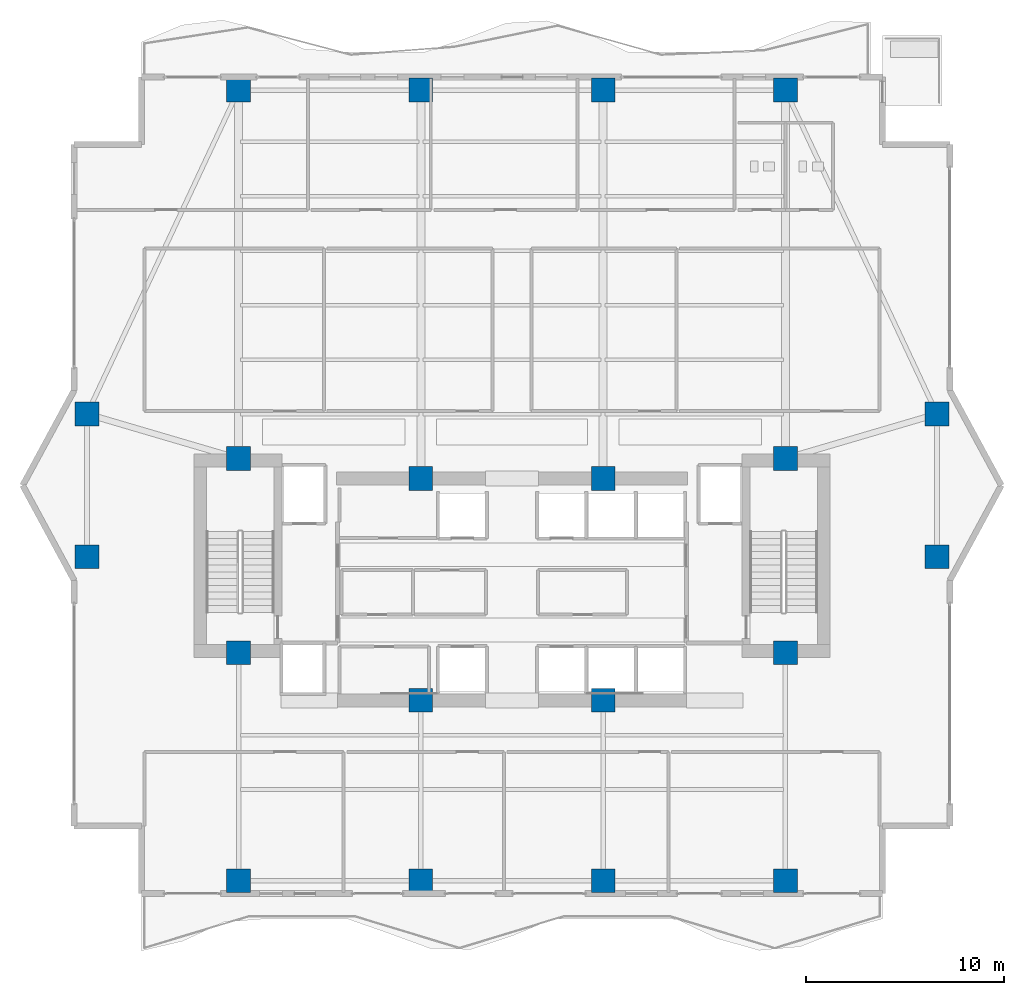
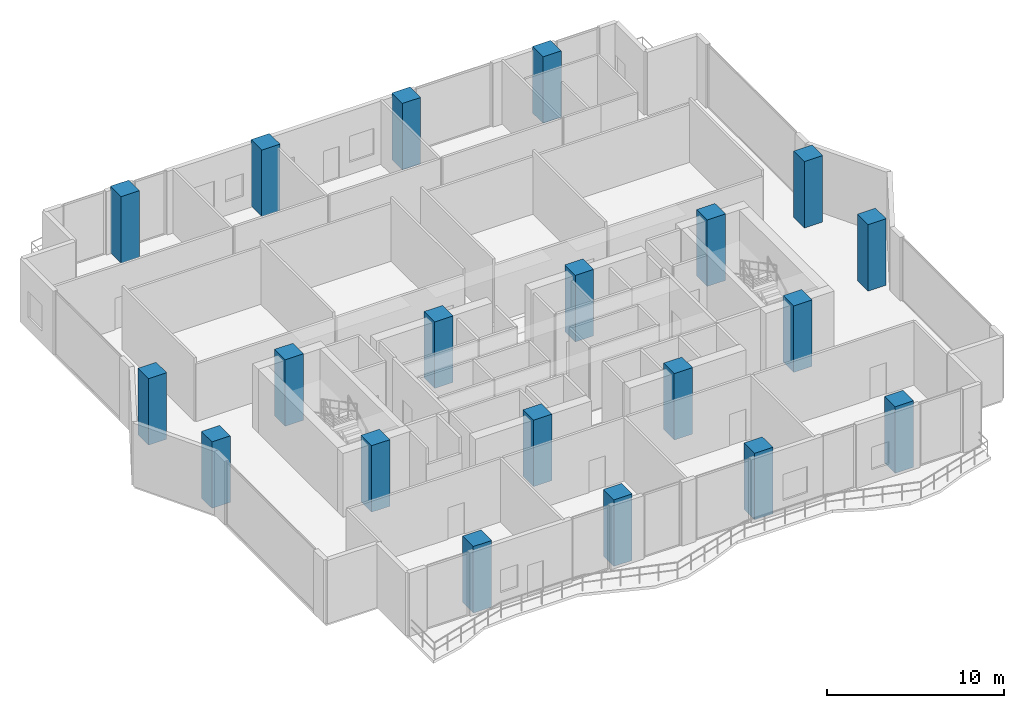
# One storey, part 1 of 31: 20 columns.
"""IFC4 building model written with IfcOpenShell, lengths in metres."""

from ifc_helpers import new_model, si_unit, direction, frame, origin, origin_2d, place, context, subcontext, project, spatial, rectangle, extrude, material, material_profile, profile_set, type_object, element, save


model = new_model("IFC4")

# Units and contexts
model_context = context("Model", 3, precision=1e-05, world=origin(), true_north=direction((0.0, 1.0)))
body_context = subcontext(model_context, "Body", "Model", "MODEL_VIEW")
ifc_project = project(units=[si_unit("LENGTHUNIT", "METRE"), si_unit("AREAUNIT", "SQUARE_METRE"), si_unit("VOLUMEUNIT", "CUBIC_METRE"), si_unit("PLANEANGLEUNIT", "RADIAN"), si_unit("MASSUNIT", "GRAM", prefix="KILO")], contexts=[model_context])

# Site, building, storey
site_placement = place(None, origin())
site = spatial("IfcSite", under=ifc_project, at=site_placement, CompositionType="ELEMENT")
building_placement = place(site_placement, origin())
building = spatial("IfcBuilding", under=site, at=building_placement, Name="Zuhayl Quay Hotel", CompositionType="ELEMENT")
storey_placement = place(building_placement, frame((0.0, 0.0, 172.800048828125)))
storey = spatial("IfcBuildingStorey", under=building, at=storey_placement, Name="L43", CompositionType="ELEMENT", Elevation=172.800048828125)

# Columns
ifc_material = material(Name="Concrete C60/75", Category="concrete")
ifc_material_profile_1 = material_profile(ifc_material, rectangle(XDim=1.199951171875, YDim=1.199951171875, at=origin_2d()), Name="RC1200X1200")
ifc_profile_set_1 = profile_set([ifc_material_profile_1], Name="Concrete C60/75")
column_type_1 = type_object("IfcColumnType", Name="CL_CC2_1200", PredefinedType="COLUMN", material=ifc_profile_set_1)
for number, where, z_axis, x_axis, name in (
    (1, (-13.800048828125, 14.35009765625, 0.0), (0.0, 0.0, 1.0), (1.0, 0.0, 0.0), "L43 Core Column CC_NW"),
    (2, (-4.60009765625, 13.35009765625, 0.0), (0.0, 0.0, 1.0), (1.0, 0.0, 0.0), "L43 Core Column CC_CNW"),
    (3, (4.60009765625, 13.35009765625, 0.0), (0.0, 0.0, 1.0), (1.0, 0.0, 0.0), "L43 Core Column CC_CNE"),
    (4, (13.800048828125, 14.35009765625, 0.0), (0.0, 0.0, 1.0), (1.0, 0.0, 0.0), "L43 Core Column CC_NE"),
    (5, (-13.800048828125, 4.550048828125, 0.0), (0.0, 0.0, 1.0), (1.0, 0.0, 0.0), "L43 Core Column CC_SW"),
    (6, (-4.60009765625, 2.14990234375, 0.0), (0.0, 0.0, 1.0), (1.0, 0.0, 0.0), "L43 Core Column CC_CSW"),
    (7, (4.60009765625, 2.14990234375, 0.0), (0.0, 0.0, 1.0), (1.0, 0.0, 0.0), "L43 Core Column CC_CSE"),
    (8, (13.800048828125, 4.550048828125, 0.0), (0.0, 0.0, 1.0), (1.0, 0.0, 0.0), "L43 Core Column CC_SE"),
):
    element("IfcColumn", number, at=place(storey_placement, frame(where, z_axis=z_axis, x_axis=x_axis)), inside=storey, type_object=column_type_1, Name=name, PredefinedType="COLUMN", context=body_context, shape_type="SweptSolid", body=[
        extrude(rectangle(XDim=1.199951171875, YDim=1.199951171875, at=origin_2d()), origin(), (0.0, 0.0, 1.0), 4.599853515625),
    ])
ifc_material_profile_2 = material_profile(ifc_material, rectangle(XDim=1.199951171875, YDim=1.199951171875, at=origin_2d()), Name="RC1200X1200")
ifc_profile_set_2 = profile_set([ifc_material_profile_2], Name="Concrete C60/75")
column_type_2 = type_object("IfcColumnType", Name="CL_MC3_1200", PredefinedType="COLUMN", material=ifc_profile_set_2)
for number, where, z_axis, x_axis, name in (
    (9, (-13.800048828125, -6.949951171875, 0.0), (0.0, 0.0, 1.0), (1.0, 0.0, 0.0), "L43 Mega-Column MC_S1"),
    (10, (-4.60009765625, -6.949951171875, 0.0), (0.0, 0.0, 1.0), (1.0, 0.0, 0.0), "L43 Mega-Column MC_S2"),
    (11, (4.60009765625, -6.949951171875, 0.0), (0.0, 0.0, 1.0), (1.0, 0.0, 0.0), "L43 Mega-Column MC_S3"),
    (12, (13.800048828125, -6.949951171875, 0.0), (0.0, 0.0, 1.0), (1.0, 0.0, 0.0), "L43 Mega-Column MC_S4"),
    (13, (-13.800048828125, 32.949951171875, 0.0), (0.0, 0.0, 1.0), (1.0, 0.0, 0.0), "L43 Mega-Column MC_N1"),
    (14, (-4.60009765625, 32.949951171875, 0.0), (0.0, 0.0, 1.0), (1.0, 0.0, 0.0), "L43 Mega-Column MC_N2"),
    (15, (4.60009765625, 32.949951171875, 0.0), (0.0, 0.0, 1.0), (1.0, 0.0, 0.0), "L43 Mega-Column MC_N3"),
    (16, (13.800048828125, 32.949951171875, 0.0), (0.0, 0.0, 1.0), (1.0, 0.0, 0.0), "L43 Mega-Column MC_N4"),
    (17, (-21.449951171875, 9.39990234375, 0.0), (0.0, 0.0, 1.0), (1.0, 0.0, 0.0), "L43 Mega-Column MC_W1"),
    (18, (-21.449951171875, 16.60009765625, 0.0), (0.0, 0.0, 1.0), (1.0, 0.0, 0.0), "L43 Mega-Column MC_W2"),
    (19, (21.449951171875, 9.39990234375, 0.0), (0.0, 0.0, 1.0), (1.0, 0.0, 0.0), "L43 Mega-Column MC_E1"),
    (20, (21.449951171875, 16.60009765625, 0.0), (0.0, 0.0, 1.0), (1.0, 0.0, 0.0), "L43 Mega-Column MC_E2"),
):
    element("IfcColumn", number, at=place(storey_placement, frame(where, z_axis=z_axis, x_axis=x_axis)), inside=storey, type_object=column_type_2, Name=name, PredefinedType="COLUMN", context=body_context, shape_type="SweptSolid", body=[
        extrude(rectangle(XDim=1.199951171875, YDim=1.199951171875, at=origin_2d()), origin(), (0.0, 0.0, 1.0), 4.599853515625),
    ])

save(model, "model.ifc")
